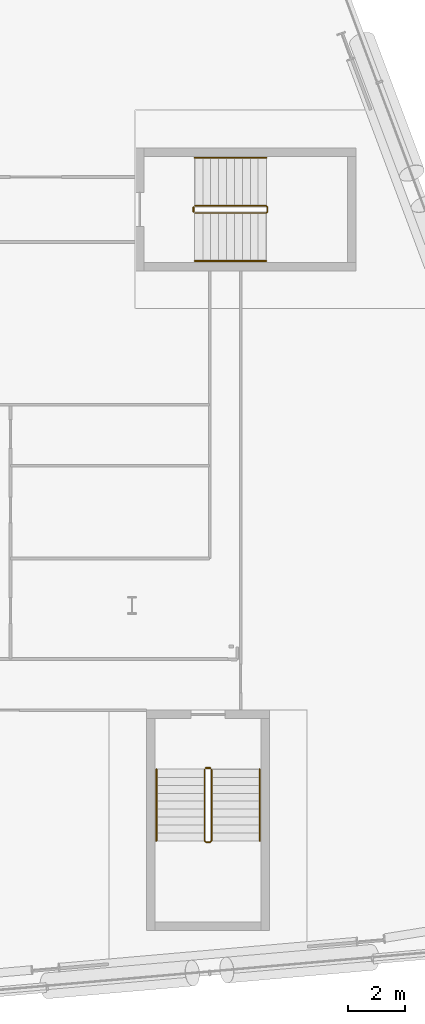
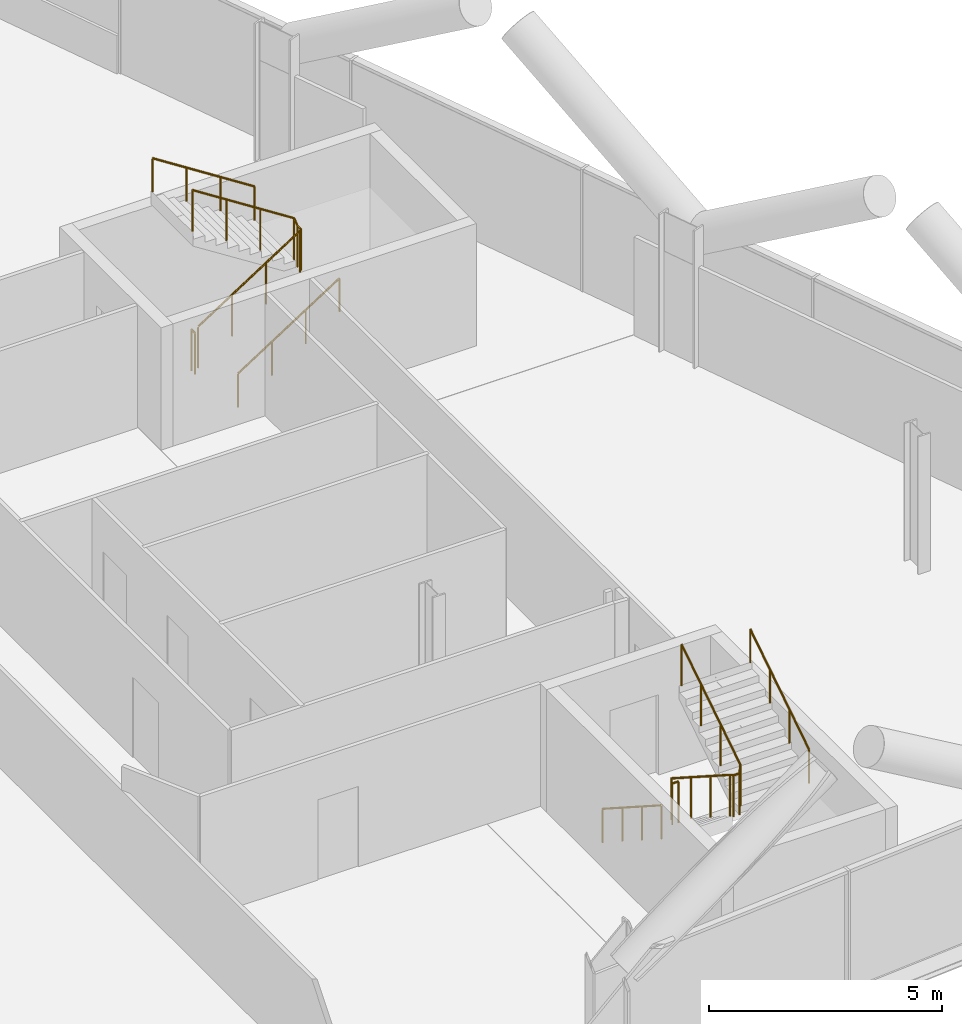
# One storey, part 24 of 24: 8 railings.
"""IFC4 building model written with IfcOpenShell, lengths in metres."""

from ifc_helpers import new_model, si_unit, direction, frame, origin, origin_2d, place, context, subcontext, project, spatial, circle, extrude, material, type_object, element, save


model = new_model("IFC4")

# Units and contexts
model_context = context("Model", 3, precision=1e-05, world=origin(), true_north=direction((0.0, 1.0)))
body_context = subcontext(model_context, "Body", "Model", "MODEL_VIEW")
ifc_project = project(units=[si_unit("LENGTHUNIT", "METRE"), si_unit("AREAUNIT", "SQUARE_METRE"), si_unit("VOLUMEUNIT", "CUBIC_METRE"), si_unit("PLANEANGLEUNIT", "RADIAN"), si_unit("MASSUNIT", "GRAM", prefix="KILO")], contexts=[model_context])

# Site, building, storey
site_placement = place(None, origin())
site = spatial("IfcSite", under=ifc_project, at=site_placement, CompositionType="ELEMENT")
building_placement = place(site_placement, origin())
building = spatial("IfcBuilding", under=site, at=building_placement, Name="Wharfspan Tower", CompositionType="ELEMENT")
storey_placement = place(building_placement, frame((0.0, 0.0, 66.699951)))
storey = spatial("IfcBuildingStorey", under=building, at=storey_placement, Name="L13", CompositionType="ELEMENT", Elevation=66.699951)

# Railings
ifc_material = material(Name="Steel S355J2", Category="steel")
railing_type_1 = type_object("IfcRailingType", Name="Stair guard 1100", PredefinedType="GUARDRAIL", material=ifc_material)
railing_1_placement = place(storey_placement, frame((74.567383, 5.691895, 0.179932)))
element("IfcRailing", 1, at=railing_1_placement, inside=storey, type_object=railing_type_1, Name="L13 ST5 stair guard 1", PredefinedType="GUARDRAIL", context=body_context, shape_type="SweptSolid", body=[
    extrude(circle(Radius=0.023926, at=origin_2d()), frame((0.0, 0.0, 1.076172), z_axis=(0.0, -0.841139, 0.540819), x_axis=(1.0, 0.0, 0.0)), (0.0, 0.0, 1.0), 2.995605),
    extrude(circle(Radius=0.023926, at=origin_2d()), frame((0.0, -2.519775, 2.696289), z_axis=(0.707107, -0.707107, 0.0), x_axis=(0.707107, 0.707107, 0.0)), (0.0, 0.0, 1.0), 0.070801),
    extrude(circle(Radius=0.023926, at=origin_2d()), frame((0.050049, -2.569824, 2.696289), z_axis=(1.0, 0.0, 0.0), x_axis=(0.0, 1.0, 0.0)), (0.0, 0.0, 1.0), 0.150146),
    extrude(circle(Radius=0.023926, at=origin_2d()), frame((0.200195, -2.569824, 2.696289), z_axis=(0.257669, 0.258932, 0.930892), x_axis=(-0.708833, 0.705372, 1e-06)), (0.0, 0.0, 1.0), 0.193359),
    extrude(circle(Radius=0.023926, at=origin_2d()), frame((0.25, -2.519775, 2.875977), z_axis=(0.0, 0.841139, 0.540819), x_axis=(-1.0, 0.0, 0.0)), (0.0, 0.0, 1.0), 2.995605),
    extrude(circle(Radius=0.020996, at=origin_2d()), origin(), (0.0, 0.0, 1.0), 1.052002),
    extrude(circle(Radius=0.020996, at=origin_2d()), frame((0.0, -0.839844, 0.540039)), (0.0, 0.0, 1.0), 1.052002),
    extrude(circle(Radius=0.020996, at=origin_2d()), frame((0.0, -1.679932, 1.080078)), (0.0, 0.0, 1.0), 1.052002),
    extrude(circle(Radius=0.020996, at=origin_2d()), frame((0.0, -2.519775, 1.620117)), (0.0, 0.0, 1.0), 1.052002),
    extrude(circle(Radius=0.020996, at=origin_2d()), frame((0.050049, -2.569824, 1.620117)), (0.0, 0.0, 1.0), 1.052002),
    extrude(circle(Radius=0.020996, at=origin_2d()), frame((0.200195, -2.569824, 1.620117)), (0.0, 0.0, 1.0), 1.052002),
    extrude(circle(Radius=0.020996, at=origin_2d()), frame((0.25, -2.519775, 1.800049)), (0.0, 0.0, 1.0), 1.052002),
    extrude(circle(Radius=0.020996, at=origin_2d()), frame((0.25, -1.679932, 2.340088)), (0.0, 0.0, 1.0), 1.052002),
    extrude(circle(Radius=0.020996, at=origin_2d()), frame((0.25, -0.839844, 2.880127)), (0.0, 0.0, 1.0), 1.052002),
    extrude(circle(Radius=0.020996, at=origin_2d()), frame((0.25, 0.0, 3.420166)), (0.0, 0.0, 1.0), 1.052002),
])
railing_2_placement = place(storey_placement, frame((74.617432, 5.741943, 0.0)))
element("IfcRailing", 2, at=railing_2_placement, inside=storey, type_object=railing_type_1, Name="L13 ST5 stair guard 2", PredefinedType="GUARDRAIL", context=body_context, shape_type="SweptSolid", body=[
    extrude(circle(Radius=0.023926, at=origin_2d()), frame((0.0, 0.0, 1.076172), z_axis=(1.0, 0.0, 0.0), x_axis=(0.0, 1.0, 0.0)), (0.0, 0.0, 1.0), 0.150146),
    extrude(circle(Radius=0.020996, at=origin_2d()), origin(), (0.0, 0.0, 1.0), 1.052002),
    extrude(circle(Radius=0.020996, at=origin_2d()), frame((0.150146, 0.0, 0.0)), (0.0, 0.0, 1.0), 1.052002),
])
railing_3_placement = place(storey_placement, frame((74.225098, 25.375, 0.179932)))
element("IfcRailing", 3, at=railing_3_placement, inside=storey, type_object=railing_type_1, Name="L13 ST6 stair guard 1", PredefinedType="GUARDRAIL", context=body_context, shape_type="SweptSolid", body=[
    extrude(circle(Radius=0.023926, at=origin_2d()), frame((0.0, 0.0, 1.076172), z_axis=(0.841163, 0.0, 0.540782), x_axis=(0.0, 1.0, 0.0)), (0.0, 0.0, 1.0), 2.99585),
    extrude(circle(Radius=0.023926, at=origin_2d()), frame((2.52002, 0.0, 2.696289), z_axis=(0.705376, 0.708834, 0.0), x_axis=(-0.708834, 0.705376, 0.0)), (0.0, 0.0, 1.0), 0.070557),
    extrude(circle(Radius=0.023926, at=origin_2d()), frame((2.569824, 0.050049, 2.696289), z_axis=(0.0, 1.0, 0.0), x_axis=(-1.0, 0.0, 0.0)), (0.0, 0.0, 1.0), 0.149902),
    extrude(circle(Radius=0.023926, at=origin_2d()), frame((2.569824, 0.199951, 2.696289), z_axis=(-0.257669, 0.258932, 0.930892), x_axis=(-0.708833, -0.705372, -1e-06)), (0.0, 0.0, 1.0), 0.193359),
    extrude(circle(Radius=0.023926, at=origin_2d()), frame((2.52002, 0.25, 2.875977), z_axis=(-0.841163, 0.0, 0.540782), x_axis=(0.0, -1.0, 0.0)), (0.0, 0.0, 1.0), 2.99585),
    extrude(circle(Radius=0.020996, at=origin_2d()), origin(), (0.0, 0.0, 1.0), 1.052002),
    extrude(circle(Radius=0.020996, at=origin_2d()), frame((0.840088, 0.0, 0.540039)), (0.0, 0.0, 1.0), 1.052002),
    extrude(circle(Radius=0.020996, at=origin_2d()), frame((1.679932, 0.0, 1.080078)), (0.0, 0.0, 1.0), 1.052002),
    extrude(circle(Radius=0.020996, at=origin_2d()), frame((2.52002, 0.0, 1.620117)), (0.0, 0.0, 1.0), 1.052002),
    extrude(circle(Radius=0.020996, at=origin_2d()), frame((2.569824, 0.050049, 1.620117)), (0.0, 0.0, 1.0), 1.052002),
    extrude(circle(Radius=0.020996, at=origin_2d()), frame((2.569824, 0.199951, 1.620117)), (0.0, 0.0, 1.0), 1.052002),
    extrude(circle(Radius=0.020996, at=origin_2d()), frame((2.52002, 0.25, 1.800049)), (0.0, 0.0, 1.0), 1.052002),
    extrude(circle(Radius=0.020996, at=origin_2d()), frame((1.679932, 0.25, 2.340088)), (0.0, 0.0, 1.0), 1.052002),
    extrude(circle(Radius=0.020996, at=origin_2d()), frame((0.840088, 0.25, 2.880127)), (0.0, 0.0, 1.0), 1.052002),
    extrude(circle(Radius=0.020996, at=origin_2d()), frame((0.0, 0.25, 3.420166)), (0.0, 0.0, 1.0), 1.052002),
])
railing_4_placement = place(storey_placement, frame((74.175049, 25.425049, 0.0)))
element("IfcRailing", 4, at=railing_4_placement, inside=storey, type_object=railing_type_1, Name="L13 ST6 stair guard 2", PredefinedType="GUARDRAIL", context=body_context, shape_type="SweptSolid", body=[
    extrude(circle(Radius=0.023926, at=origin_2d()), frame((0.0, 0.0, 1.076172), z_axis=(0.0, 1.0, 0.0), x_axis=(-1.0, 0.0, 0.0)), (0.0, 0.0, 1.0), 0.149902),
    extrude(circle(Radius=0.020996, at=origin_2d()), origin(), (0.0, 0.0, 1.0), 1.052002),
    extrude(circle(Radius=0.020996, at=origin_2d()), frame((0.0, 0.149902, 0.0)), (0.0, 0.0, 1.0), 1.052002),
])
railing_type_2 = type_object("IfcRailingType", Name="Stair handrail 900", PredefinedType="HANDRAIL", material=ifc_material)
railing_5_placement = place(storey_placement, frame((72.867432, 5.691895, 0.179932)))
element("IfcRailing", 5, at=railing_5_placement, inside=storey, type_object=railing_type_2, Name="L13 ST5 stair handrail 1", PredefinedType="HANDRAIL", context=body_context, shape_type="SweptSolid", body=[
    extrude(circle(Radius=0.023926, at=origin_2d()), frame((0.0, 0.0, 0.875977), z_axis=(0.0, -0.841139, 0.540819), x_axis=(1.0, 0.0, 0.0)), (0.0, 0.0, 1.0), 2.995605),
    extrude(circle(Radius=0.020996, at=origin_2d()), origin(), (0.0, 0.0, 1.0), 0.851807),
    extrude(circle(Radius=0.020996, at=origin_2d()), frame((0.0, -0.839844, 0.540039)), (0.0, 0.0, 1.0), 0.851807),
    extrude(circle(Radius=0.020996, at=origin_2d()), frame((0.0, -1.679932, 1.080078)), (0.0, 0.0, 1.0), 0.851807),
    extrude(circle(Radius=0.020996, at=origin_2d()), frame((0.0, -2.519775, 1.620117)), (0.0, 0.0, 1.0), 0.851807),
])
railing_6_placement = place(storey_placement, frame((76.517578, 3.172119, 1.97998)))
element("IfcRailing", 6, at=railing_6_placement, inside=storey, type_object=railing_type_2, Name="L13 ST5 stair handrail 2", PredefinedType="HANDRAIL", context=body_context, shape_type="SweptSolid", body=[
    extrude(circle(Radius=0.023926, at=origin_2d()), frame((0.0, 0.0, 0.875977), z_axis=(0.0, 0.841139, 0.540819), x_axis=(-1.0, 0.0, 0.0)), (0.0, 0.0, 1.0), 2.995605),
    extrude(circle(Radius=0.020996, at=origin_2d()), origin(), (0.0, 0.0, 1.0), 0.851807),
    extrude(circle(Radius=0.020996, at=origin_2d()), frame((0.0, 0.839844, 0.540039)), (0.0, 0.0, 1.0), 0.851807),
    extrude(circle(Radius=0.020996, at=origin_2d()), frame((0.0, 1.679932, 1.080078)), (0.0, 0.0, 1.0), 0.851807),
    extrude(circle(Radius=0.020996, at=origin_2d()), frame((0.0, 2.519775, 1.620117)), (0.0, 0.0, 1.0), 0.851807),
])
railing_7_placement = place(storey_placement, frame((74.225098, 23.675049, 0.179932)))
element("IfcRailing", 7, at=railing_7_placement, inside=storey, type_object=railing_type_2, Name="L13 ST6 stair handrail 1", PredefinedType="HANDRAIL", context=body_context, shape_type="SweptSolid", body=[
    extrude(circle(Radius=0.023926, at=origin_2d()), frame((0.0, 0.0, 0.875977), z_axis=(0.841163, 0.0, 0.540782), x_axis=(0.0, 1.0, 0.0)), (0.0, 0.0, 1.0), 2.99585),
    extrude(circle(Radius=0.020996, at=origin_2d()), origin(), (0.0, 0.0, 1.0), 0.851807),
    extrude(circle(Radius=0.020996, at=origin_2d()), frame((0.840088, 0.0, 0.540039)), (0.0, 0.0, 1.0), 0.851807),
    extrude(circle(Radius=0.020996, at=origin_2d()), frame((1.679932, 0.0, 1.080078)), (0.0, 0.0, 1.0), 0.851807),
    extrude(circle(Radius=0.020996, at=origin_2d()), frame((2.52002, 0.0, 1.620117)), (0.0, 0.0, 1.0), 0.851807),
])
railing_8_placement = place(storey_placement, frame((76.745117, 27.324951, 1.97998)))
element("IfcRailing", 8, at=railing_8_placement, inside=storey, type_object=railing_type_2, Name="L13 ST6 stair handrail 2", PredefinedType="HANDRAIL", context=body_context, shape_type="SweptSolid", body=[
    extrude(circle(Radius=0.023926, at=origin_2d()), frame((0.0, 0.0, 0.875977), z_axis=(-0.841163, 0.0, 0.540782), x_axis=(0.0, -1.0, 0.0)), (0.0, 0.0, 1.0), 2.99585),
    extrude(circle(Radius=0.020996, at=origin_2d()), origin(), (0.0, 0.0, 1.0), 0.851807),
    extrude(circle(Radius=0.020996, at=origin_2d()), frame((-0.840088, 0.0, 0.540039)), (0.0, 0.0, 1.0), 0.851807),
    extrude(circle(Radius=0.020996, at=origin_2d()), frame((-1.679932, 0.0, 1.080078)), (0.0, 0.0, 1.0), 0.851807),
    extrude(circle(Radius=0.020996, at=origin_2d()), frame((-2.52002, 0.0, 1.620117)), (0.0, 0.0, 1.0), 0.851807),
])

save(model, "model.ifc")
